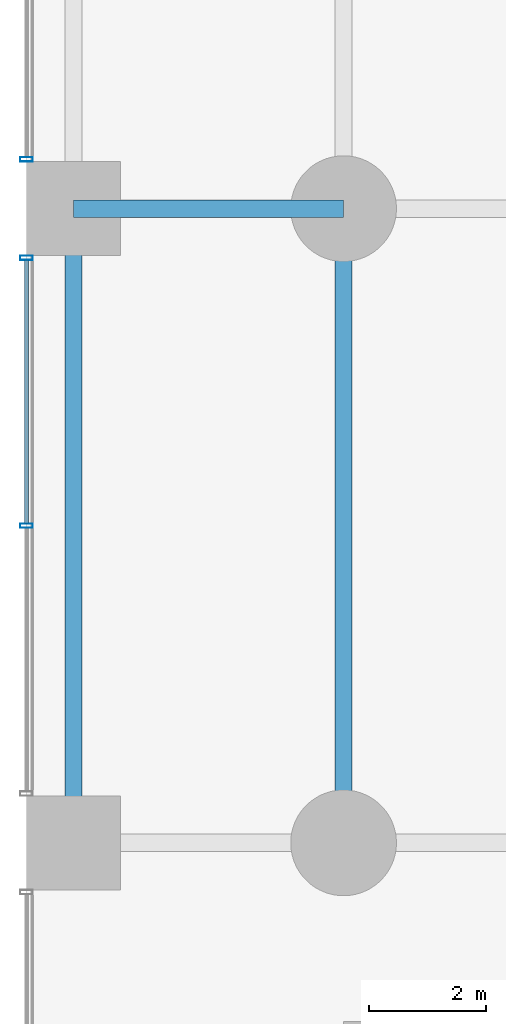
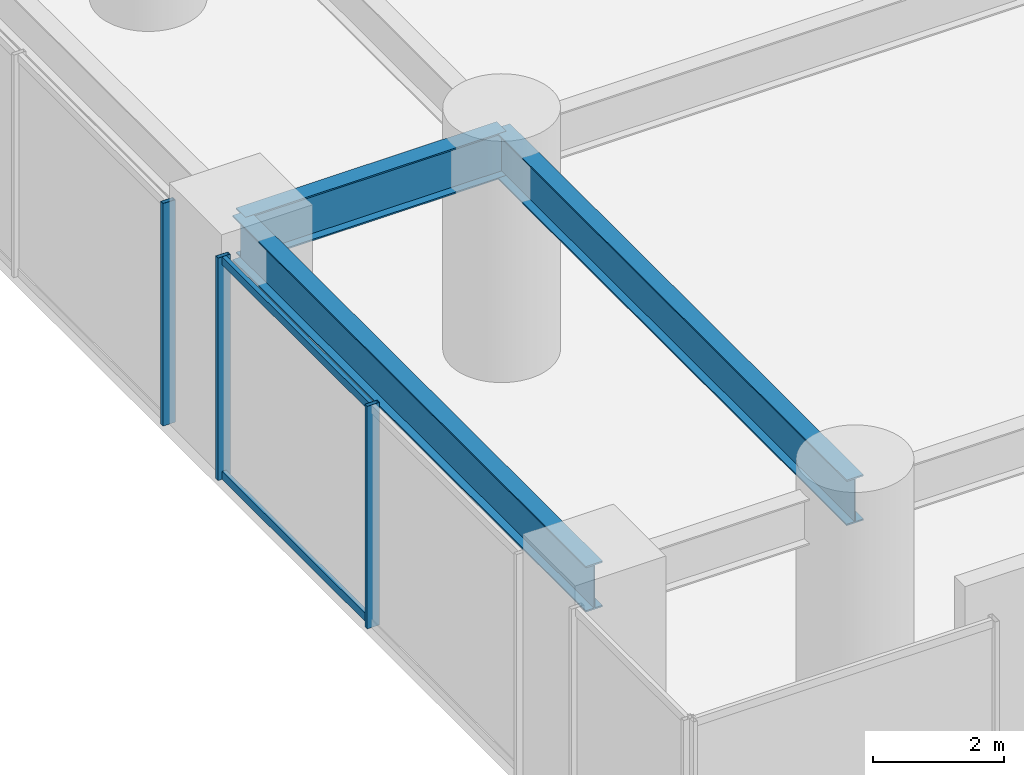
# One storey, part 3 of 35: 5 members, 3 beams, 2 elements without a shape of their own.
"""IFC4 building model written with IfcOpenShell, lengths in metres."""

from ifc_helpers import new_model, si_unit, direction, frame, origin, origin_2d, place, context, subcontext, project, spatial, hollow_rectangle, i_section, extrude, material, layer, layer_set, material_profile, profile_set, type_object, element, aggregate, save


model = new_model("IFC4")

# Units and contexts
model_context = context("Model", 3, precision=1e-05, world=origin(), true_north=direction((0.0, 1.0)))
body_context = subcontext(model_context, "Body", "Model", "MODEL_VIEW")
ifc_project = project(units=[si_unit("LENGTHUNIT", "METRE"), si_unit("AREAUNIT", "SQUARE_METRE"), si_unit("VOLUMEUNIT", "CUBIC_METRE"), si_unit("PLANEANGLEUNIT", "RADIAN"), si_unit("MASSUNIT", "GRAM", prefix="KILO")], contexts=[model_context])

# Site, building, storey
site_placement = place(None, origin())
site = spatial("IfcSite", under=ifc_project, at=site_placement, CompositionType="ELEMENT")
building_placement = place(site_placement, origin())
building = spatial("IfcBuilding", under=site, at=building_placement, Name="Surkhivell Harbour Commons", CompositionType="ELEMENT")
storey_placement = place(building_placement, frame((0.0, 0.0, 13.5)))
storey = spatial("IfcBuildingStorey", under=building, at=storey_placement, Name="L03", CompositionType="ELEMENT", Elevation=13.5)

# Beams
ifc_material_1 = material(Name="Steel S460", Category="steel")
ifc_material_profile_1 = material_profile(ifc_material_1, i_section(OverallWidth=0.2939453125, OverallDepth=0.85107421875, WebThickness=0.01611328125, FlangeThickness=0.02685546875, at=origin_2d()), Name="UB838x292x226")
ifc_profile_set_1 = profile_set([ifc_material_profile_1], Name="Steel S460")
beam_type = type_object("IfcBeamType", Name="BM-SPN-838", PredefinedType="SPANDREL", material=ifc_profile_set_1)
beam_1_placement = place(storey_placement, frame((-37.0, -21.60009765625, 3.724609375), z_axis=(0.0, 1.0, 0.0), x_axis=(-1.0, 0.0, 0.0)))
element("IfcBeam", 1, at=beam_1_placement, inside=storey, type_object=beam_type, Name="L03 Framing Beam (-37.0,-21.6)", PredefinedType="SPANDREL", context=body_context, shape_type="SweptSolid", body=[
    extrude(i_section(OverallWidth=0.2939453125, OverallDepth=0.85107421875, WebThickness=0.01611328125, FlangeThickness=0.02685546875, at=origin_2d()), origin(), (0.0, 0.0, 1.0), 10.800048828125),
])
beam_2_placement = place(storey_placement, frame((-37.0, -10.800048828125, 3.724609375), z_axis=(1.0, 0.0, 0.0), x_axis=(0.0, 1.0, 0.0)))
element("IfcBeam", 2, at=beam_2_placement, inside=storey, type_object=beam_type, Name="L03 Framing Beam (-37.0,-10.8)", PredefinedType="SPANDREL", context=body_context, shape_type="SweptSolid", body=[
    extrude(i_section(OverallWidth=0.2939453125, OverallDepth=0.85107421875, WebThickness=0.01611328125, FlangeThickness=0.02685546875, at=origin_2d()), origin(), (0.0, 0.0, 1.0), 4.60009765625),
])
beam_3_placement = place(storey_placement, frame((-32.39990234375, -21.60009765625, 3.724609375), z_axis=(0.0, 1.0, 0.0), x_axis=(-1.0, 0.0, 0.0)))
element("IfcBeam", 3, at=beam_3_placement, inside=storey, type_object=beam_type, Name="L03 Framing Beam (-32.4,-21.6)", PredefinedType="SPANDREL", context=body_context, shape_type="SweptSolid", body=[
    extrude(i_section(OverallWidth=0.2939453125, OverallDepth=0.85107421875, WebThickness=0.01611328125, FlangeThickness=0.02685546875, at=origin_2d()), origin(), (0.0, 0.0, 1.0), 10.800048828125),
])

# Curtain wall, members
ifc_material_2 = material(Name="Anodised pale-metal aluminium and insulated glazing", Category="aluminium")
ifc_layer = layer(ifc_material_2, 0.239990234375)
ifc_layer_set = layer_set([ifc_layer], Name="Anodised pale-metal aluminium and insulated glazing")
curtain_wall_type = type_object("IfcCurtainWallType", Name="CW-SYS-POD", PredefinedType="NOTDEFINED", material=ifc_layer_set)
curtain_wall_1_placement = place(storey_placement, origin())
curtain_wall_1 = element("IfcCurtainWall", 4, at=curtain_wall_1_placement, inside=storey, type_object=curtain_wall_type, Name="L03 Curtain Wall CW-L03-W2", PredefinedType="NOTDEFINED")
ifc_material_3 = material(Name="Anodised pale-metal aluminium alloy 6063-T6", Category="aluminium")
ifc_material_profile_2 = material_profile(ifc_material_3, hollow_rectangle(XDim=0.074951171875, YDim=0.219970703125, WallThickness=0.00390625, at=origin_2d()), Name="ALU-MULL-75x220")
ifc_profile_set_2 = profile_set([ifc_material_profile_2], Name="Anodised pale-metal aluminium alloy 6063-T6")
member_type_1 = type_object("IfcMemberType", Name="CWM-220", PredefinedType="MULLION", material=ifc_profile_set_2)
member_1_placement = place(storey_placement, frame((-37.800048828125, -16.199951171875, 0.0), z_axis=(0.0, 0.0, 1.0), x_axis=(0.0, 1.0, 0.0)))
member_1 = element("IfcMember", 5, at=member_1_placement, type_object=member_type_1, Name="CW-POD mullion 2", PredefinedType="MULLION", context=body_context, shape_type="SweptSolid", body=[
    extrude(hollow_rectangle(XDim=0.074951171875, YDim=0.219970703125, WallThickness=0.00390625, at=origin_2d()), origin(), (0.0, 0.0, 1.0), 4.14990234375),
])
member_2_placement = place(storey_placement, frame((-37.800048828125, -11.639404296875, 0.0), z_axis=(0.0, 0.0, 1.0), x_axis=(0.0, 1.0, 0.0)))
member_2 = element("IfcMember", 6, at=member_2_placement, type_object=member_type_1, Name="CW-POD mullion 3", PredefinedType="MULLION", context=body_context, shape_type="SweptSolid", body=[
    extrude(hollow_rectangle(XDim=0.074951171875, YDim=0.219970703125, WallThickness=0.00390625, at=origin_2d()), origin(), (0.0, 0.0, 1.0), 4.14990234375),
])

# Curtain wall, member
curtain_wall_2_placement = place(storey_placement, origin())
curtain_wall_2 = element("IfcCurtainWall", 7, at=curtain_wall_2_placement, inside=storey, type_object=curtain_wall_type, Name="L03 Curtain Wall CW-L03-W3", PredefinedType="NOTDEFINED")
member_3_placement = place(storey_placement, frame((-37.800048828125, -9.96044921875, 0.0), z_axis=(0.0, 0.0, 1.0), x_axis=(0.0, 1.0, 0.0)))
member_3 = element("IfcMember", 8, at=member_3_placement, type_object=member_type_1, Name="CW-POD mullion 1", PredefinedType="MULLION", context=body_context, shape_type="SweptSolid", body=[
    extrude(hollow_rectangle(XDim=0.074951171875, YDim=0.219970703125, WallThickness=0.00390625, at=origin_2d()), origin(), (0.0, 0.0, 1.0), 4.14990234375),
])
aggregate(curtain_wall_2, [member_3])

# Member
ifc_material_profile_3 = material_profile(ifc_material_3, hollow_rectangle(XDim=0.074951171875, YDim=0.14990234375, WallThickness=0.00341796875, at=origin_2d()), Name="ALU-TRAN-75x150")
ifc_profile_set_3 = profile_set([ifc_material_profile_3], Name="Anodised pale-metal aluminium alloy 6063-T6")
member_type_2 = type_object("IfcMemberType", Name="CWT-150", PredefinedType="USERDEFINED", material=ifc_profile_set_3)
member_4_placement = place(storey_placement, frame((-37.800048828125, -16.16259765625, 0.074951171875), z_axis=(0.0, 1.0, 0.0), x_axis=(-1.0, 0.0, 0.0)))
member_4 = element("IfcMember", 9, at=member_4_placement, type_object=member_type_2, Name="CW-POD transom 2.1", ObjectType="TRANSOM", PredefinedType="USERDEFINED", context=body_context, shape_type="SweptSolid", body=[
    extrude(hollow_rectangle(XDim=0.074951171875, YDim=0.14990234375, WallThickness=0.00341796875, at=origin_2d()), origin(), (0.0, 0.0, 1.0), 4.485595703125),
])

member_5_placement = place(storey_placement, frame((-37.800048828125, -16.16259765625, 4.074951171875), z_axis=(0.0, 1.0, 0.0), x_axis=(-1.0, 0.0, 0.0)))
member_5 = element("IfcMember", 10, at=member_5_placement, type_object=member_type_2, Name="CW-POD transom 2.2", ObjectType="TRANSOM", PredefinedType="USERDEFINED", context=body_context, shape_type="SweptSolid", body=[
    extrude(hollow_rectangle(XDim=0.074951171875, YDim=0.14990234375, WallThickness=0.00341796875, at=origin_2d()), origin(), (0.0, 0.0, 1.0), 4.485595703125),
])

aggregate(curtain_wall_1, [member_1, member_2, member_4, member_5])

save(model, "model.ifc")
